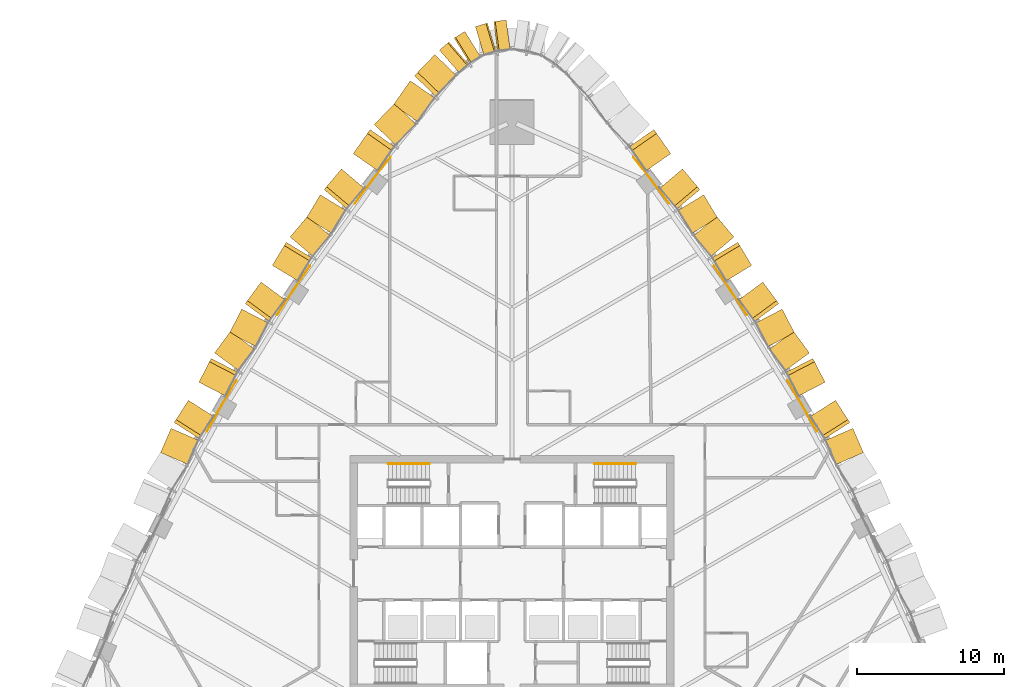
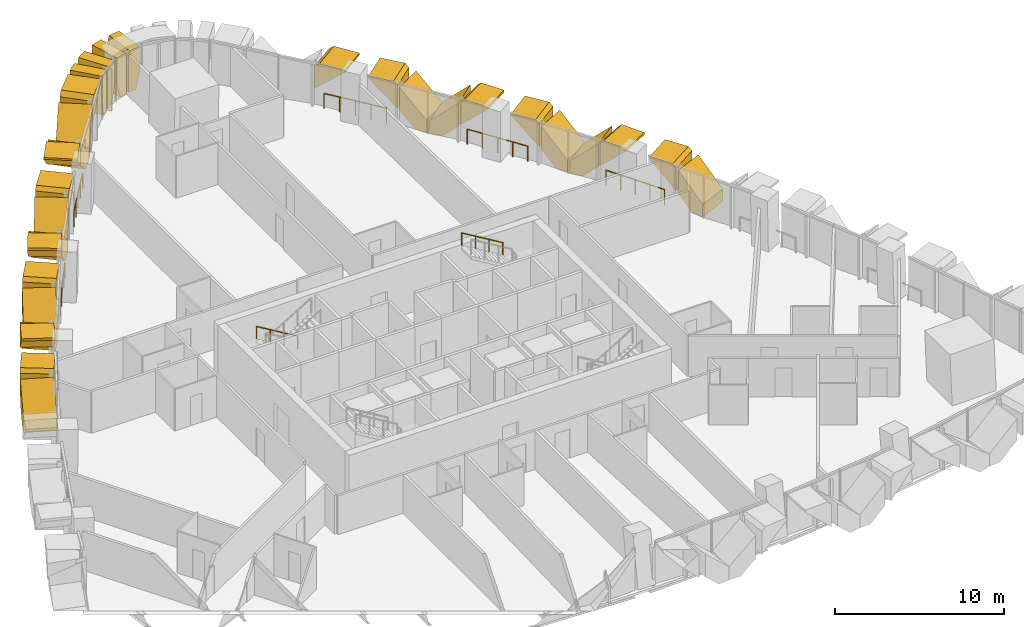
# One storey, part 21 of 23: 29 coverings, 8 railings.
"""IFC4 building model written with IfcOpenShell, lengths in metres."""

from ifc_helpers import new_model, si_unit, direction, frame, origin, origin_2d, place, context, subcontext, project, spatial, polyline, circle, outline, extrude, material, layer, layer_set, type_object, element, save


model = new_model("IFC4")

# Units and contexts
model_context = context("Model", 3, precision=1e-05, world=origin(), true_north=direction((0.0, 1.0)))
body_context = subcontext(model_context, "Body", "Model", "MODEL_VIEW")
ifc_project = project(units=[si_unit("LENGTHUNIT", "METRE"), si_unit("AREAUNIT", "SQUARE_METRE"), si_unit("VOLUMEUNIT", "CUBIC_METRE"), si_unit("PLANEANGLEUNIT", "RADIAN"), si_unit("MASSUNIT", "GRAM", prefix="KILO")], contexts=[model_context])

# Site, building, storey
site_placement = place(None, origin())
site = spatial("IfcSite", under=ifc_project, at=site_placement, CompositionType="ELEMENT")
building_placement = place(site_placement, origin())
building = spatial("IfcBuilding", under=site, at=building_placement, Name="Sierra Prisma Convention Tower", CompositionType="ELEMENT")
storey_placement = place(building_placement, frame((0.0, 0.0, 70.199951171875)))
storey = spatial("IfcBuildingStorey", under=building, at=storey_placement, Name="L13", CompositionType="ELEMENT", Elevation=70.199951171875)

# Coverings
ifc_material_1 = material(Name="Aluminium 6063-T6 bronze anodised", Category="aluminium")
ifc_layer = layer(ifc_material_1, 2.0)
ifc_layer_set = layer_set([ifc_layer], Name="Bronze crystal chevron frame")
covering_type = type_object("IfcCoveringType", Name="Bronze crystal chevron frame", PredefinedType="CLADDING", material=ifc_layer_set)
covering_1_placement = place(storey_placement, frame((23.540771484375, 8.94580078125, 0.0), z_axis=(0.916860765841, 0.399207133891, -1.7641202e-05), x_axis=(-0.287471184295, 0.660266983995, 0.69383559151)))
element("IfcCovering", 1, at=covering_1_placement, inside=storey, type_object=covering_type, Name="CW-2 chevron frame NE3.2.1", PredefinedType="CLADDING", context=body_context, shape_type="SweptSolid", body=[
    extrude(outline(polyline([(0.0, 0.0), (1.3751118780450438, 1.1102230246251565e-16), (2.5313916015919213, 1.200105191054749), (0.03878442501142809, 1.2000599043178775), (-0.5795016855871807, 0.5583394315153818), (0.0, 0.0)])), origin(), (0.0, 0.0, -1.0), 2.0),
])
covering_2_placement = place(storey_placement, frame((21.971923828125, 11.7587890625, 2.97998046875), z_axis=(0.843156943798, 0.537667525635, -1.660664e-06), x_axis=(0.537667525636, -0.843156943799, 3e-12)))
element("IfcCovering", 2, at=covering_2_placement, inside=storey, type_object=covering_type, Name="CW-2 chevron frame NE3.2.2", PredefinedType="CLADDING", context=body_context, shape_type="SweptSolid", body=[
    extrude(outline(polyline([(0.0, 0.0), (1.5520187552213036, 0.0), (1.794953521349108, 0.23413085938118242), (1.7949535213436685, 1.900390625003885), (-5.578935880979592e-13, 0.17089843749976436), (0.0, 0.0)])), origin(), (0.0, 0.0, -1.0), 2.0),
])
covering_3_placement = place(storey_placement, frame((21.260986328125, 12.984130859375, 2.97998046875), z_axis=(0.888273006133, 0.45931586623, -4.0060389e-05), x_axis=(-3.5584562e-05, -1.8400372e-05, -0.999999999198)))
element("IfcCovering", 3, at=covering_3_placement, inside=storey, type_object=covering_type, Name="CW-2 chevron frame NE4.1.1", PredefinedType="CLADDING", context=body_context, shape_type="SweptSolid", body=[
    extrude(outline(polyline([(0.0, 0.0), (0.1657714842419821, -5.616556359235058e-22), (1.8967285144870014, 1.816754445137787), (0.23925781269198462, 1.816754445137787), (-2.92600245792093e-09, 1.5655000669253487), (0.0, 0.0)])), origin(), (0.0, 0.0, -1.0), 2.0),
])
covering_4_placement = place(storey_placement, frame((20.192626953125, 14.974609375, 2.616943359375), z_axis=(0.80551924235, 0.592569615614, 2.9258739e-05), x_axis=(2.3568477e-05, 1.733784e-05, -0.999999999572)))
element("IfcCovering", 4, at=covering_4_placement, inside=storey, type_object=covering_type, Name="CW-2 chevron frame NE4.1.2", PredefinedType="CLADDING", context=body_context, shape_type="SweptSolid", body=[
    extrude(outline(polyline([(0.0, 0.0), (1.6574707024155415, 0.0), (2.616943361253618, 1.0070753380500512), (2.6169433590762314, 1.8169726235174384), (1.730957031330466, 1.8169726235174384), (0.0, 0.0)])), origin(), (0.0, 0.0, -1.0), 2.0),
])
covering_5_placement = place(storey_placement, frame((19.181640625, 16.33251953125, 0.0), z_axis=(0.888292722862, 0.459277734988, -2.5592689e-05), x_axis=(-0.459277735139, 0.888292723153, -2.057e-09)))
element("IfcCovering", 5, at=covering_5_placement, inside=storey, type_object=covering_type, Name="CW-2 chevron frame NE4.2.1", PredefinedType="CLADDING", context=body_context, shape_type="SweptSolid", body=[
    extrude(outline(polyline([(0.0, 0.0), (0.8099946102251216, 0.0), (1.816971309419688, 0.9594726603012124), (1.816971306010743, 2.6169433628834025), (-1.8222213208375096e-09, 0.8859863278348458), (0.0, 0.0)])), origin(), (0.0, 0.0, -1.0), 2.0),
])
covering_6_placement = place(storey_placement, frame((17.03662109375, 19.786865234375, 2.97998046875), z_axis=(0.805529734868, 0.592555352646, 1.7134343e-05), x_axis=(0.592555352733, -0.805529734986, 3.42e-10)))
element("IfcCovering", 6, at=covering_6_placement, inside=storey, type_object=covering_type, Name="CW-2 chevron frame NE4.2.2", PredefinedType="CLADDING", context=body_context, shape_type="SweptSolid", body=[
    extrude(outline(polyline([(0.0, 0.0), (1.5656926150697792, 0.0), (1.8169726236478851, 0.23925781315630654), (1.8169726230812302, 1.8967285160380014), (-5.667383163352902e-11, 0.1657714843506659), (0.0, 0.0)])), origin(), (0.0, 0.0, -1.0), 2.0),
])
covering_7_placement = place(storey_placement, frame((16.27734375, 20.918212890625, 2.97998046875), z_axis=(0.855814443653, 0.517282936603, 3.9183039e-05), x_axis=(3.3533411e-05, 2.0268717e-05, -0.999999999232)))
element("IfcCovering", 7, at=covering_7_placement, inside=storey, type_object=covering_type, Name="CW-2 chevron frame NE5.1.1", PredefinedType="CLADDING", context=body_context, shape_type="SweptSolid", body=[
    extrude(outline(polyline([(0.0, 0.0), (0.16259765612518104, 0.0), (1.8942871082930484, 1.8303048594666227), (0.2424316408111039, 1.8303048594666227), (-2.7857489988227023e-09, 1.5738932822632106), (0.0, 0.0)])), origin(), (0.0, 0.0, -1.0), 2.0),
])
covering_8_placement = place(storey_placement, frame((15.072021484375, 22.844970703125, 2.614501953125), z_axis=(0.764402970788, 0.644738782166, -3.1955414e-05), x_axis=(-2.4426814e-05, -2.0602895e-05, -0.999999999489)))
element("IfcCovering", 8, at=covering_8_placement, inside=storey, type_object=covering_type, Name="CW-2 chevron frame NE5.1.2", PredefinedType="CLADDING", context=body_context, shape_type="SweptSolid", body=[
    extrude(outline(polyline([(0.0, 0.0), (1.651855467906605, 0.0), (2.61450195536138, 1.0173429130293723), (2.6145019527731077, 1.8304347417983673), (1.731689453223849, 1.8304347417983673), (0.0, 0.0)])), origin(), (0.0, 0.0, -1.0), 2.0),
])
covering_9_placement = place(storey_placement, frame((13.964111328125, 24.14306640625, 0.0), z_axis=(0.855828936097, 0.517258958602, 4.3402433e-05), x_axis=(-0.517258959089, 0.855828936904, -5.873e-09)))
element("IfcCovering", 9, at=covering_9_placement, inside=storey, type_object=covering_type, Name="CW-2 chevron frame NE5.2.1", PredefinedType="CLADDING", context=body_context, shape_type="SweptSolid", body=[
    extrude(outline(polyline([(0.0, 0.0), (0.8129473627264518, -3.3881317890172014e-21), (1.830304853360422, 0.9626464960317466), (1.8303048436584763, 2.6145019632258877), (-5.18507771855864e-09, 0.8828124991684917), (0.0, 0.0)])), origin(), (0.0, 0.0, -1.0), 2.0),
])
covering_10_placement = place(storey_placement, frame((11.57861328125, 27.468994140625, 2.97998046875), z_axis=(0.764389640556, 0.644754586302, -2.9216159e-05), x_axis=(0.644754586577, -0.764389640882, 9.84e-10)))
element("IfcCovering", 10, at=covering_10_placement, inside=storey, type_object=covering_type, Name="CW-2 chevron frame NE5.2.2", PredefinedType="CLADDING", context=body_context, shape_type="SweptSolid", body=[
    extrude(outline(polyline([(0.0, 0.0), (1.5740129313153708, 3.3881317890172014e-21), (1.8304347418046039, 0.24243164252956848), (1.8304347401792207, 1.8942871105745702), (-1.599918984023667e-10, 0.16259765618060465), (0.0, 0.0)])), origin(), (0.0, 0.0, -1.0), 2.0),
])
covering_11_placement = place(storey_placement, frame((10.779296875, 28.5068359375, 2.97998046875), z_axis=(0.819474614002, 0.5731154765, -8.7187935e-05), x_axis=(-7.14483e-05, -4.9968755e-05, -0.999999996199)))
element("IfcCovering", 11, at=covering_11_placement, inside=storey, type_object=covering_type, Name="CW-2 chevron frame NE6.1.1", PredefinedType="CLADDING", context=body_context, shape_type="SweptSolid", body=[
    extrude(outline(polyline([(0.0, 0.0), (0.12890624951004437, 0.0), (1.8696289012465137, 1.994017863295504), (0.2766113291763632, 1.994017863295504), (-1.3089610412895668e-08, 1.6769055526929626), (0.0, 0.0)])), origin(), (0.0, 0.0, -1.0), 2.0),
])
covering_12_placement = place(storey_placement, frame((-0.394287109375, 37.58154296875, 2.97998046875), z_axis=(-0.133475891048, 0.991052060425, 6.047414e-06), x_axis=(-8.07184e-07, 5.993302e-06, -0.999999999982)))
element("IfcCovering", 12, at=covering_12_placement, inside=storey, type_object=covering_type, Name="CW-2 chevron frame N3.1.1", PredefinedType="CLADDING", context=body_context, shape_type="SweptSolid", body=[
    extrude(outline(polyline([(0.0, 0.0), (1.861083984340969, 1.9704993154661656e-22), (2.979980469204484, 0.29510986007563966), (2.979980468773824, 0.8506272104609597), (0.37988281257136836, 0.8506272104609597), (3.487588341474264e-10, 0.7503588113867239), (0.0, 0.0)])), origin(), (0.0, 0.0, -1.0), 2.0),
])
covering_13_placement = place(storey_placement, frame((-2.203125, 37.215576171875, 0.0), z_axis=(-0.286754954189, 0.958003963742, 4.1275344e-05), x_axis=(-0.244146104195, -0.073120801078, 0.966977780642)))
element("IfcCovering", 13, at=covering_13_placement, inside=storey, type_object=covering_type, Name="CW-2 chevron frame N3.1.2", PredefinedType="CLADDING", context=body_context, shape_type="SweptSolid", body=[
    extrude(outline(polyline([(0.0, 0.0), (1.157106720998983, 0.0), (2.9567335817988885, 0.47431714378016), (2.7655261705438092, 1.199785328173854), (2.3726562730449263, 1.199838871885646), (-0.14158038804899944, 0.5371761956087598), (0.0, 0.0)])), origin(), (0.0, 0.0, -1.0), 2.0),
])
covering_14_placement = place(storey_placement, frame((-3.204345703125, 36.80615234375, 2.97998046875), z_axis=(-0.529475725128, 0.848325088924, -1.35635e-06), x_axis=(7.18155e-07, -1.150626e-06, -0.999999999999)))
element("IfcCovering", 14, at=covering_14_placement, inside=storey, type_object=covering_type, Name="CW-2 chevron frame N4.1.1", PredefinedType="CLADDING", context=body_context, shape_type="SweptSolid", body=[
    extrude(outline(polyline([(0.0, 0.0), (1.861083984373288, 0.0), (2.9799804688185993, 0.2950189648999974), (2.979980468757043, 0.8507157411436652), (0.3798828125094343, 0.8507157411436652), (6.64113814498304e-11, 0.7505904083070458), (0.0, 0.0)])), origin(), (0.0, 0.0, -1.0), 2.0),
])
covering_15_placement = place(storey_placement, frame((-4.282470703125, 36.092041015625, 0.0), z_axis=(-0.655698311383, 0.755022995933, -7.836621e-06), x_axis=(-0.755022995957, -0.655698311403, -1.6e-11)))
element("IfcCovering", 15, at=covering_15_placement, inside=storey, type_object=covering_type, Name="CW-2 chevron frame N4.1.2", PredefinedType="CLADDING", context=body_context, shape_type="SweptSolid", body=[
    extrude(outline(polyline([(0.0, 0.0), (0.5555252411295619, -8.470329472543003e-22), (0.850421245736691, 1.1188964843810023), (0.8504212457071364, 2.9799804686988556), (0.10020507185549636, 2.9799804689763274), (-4.129026665562526e-11, 2.6000976561701608), (0.0, 0.0)])), origin(), (0.0, 0.0, -1.0), 2.0),
])
covering_16_placement = place(storey_placement, frame((-5.240478515625, 35.234619140625, 2.97998046875), z_axis=(-0.719728945098, 0.694255173235, 5.063246e-06), x_axis=(-3.644165e-06, 3.515185e-06, -0.999999999987)))
element("IfcCovering", 16, at=covering_16_placement, inside=storey, type_object=covering_type, Name="CW-2 chevron frame NW1.1.1", PredefinedType="CLADDING", context=body_context, shape_type="SweptSolid", body=[
    extrude(outline(polyline([(0.0, 0.0), (0.12890624999834766, 0.0), (1.8696289062331262, 1.99354970398204), (0.27661132812854566, 1.99354970398204), (-4.4144031294522125e-11, 1.676716025802791), (0.0, 0.0)])), origin(), (0.0, 0.0, -1.0), 2.0),
])
covering_17_placement = place(storey_placement, frame((-6.90625, 33.457275390625, 2.58984375), z_axis=(-0.81950208881, 0.573076196012, -6.25515e-07), x_axis=(5.12611e-07, -3.58468e-07, -1.0)))
element("IfcCovering", 17, at=covering_17_placement, inside=storey, type_object=covering_type, Name="CW-2 chevron frame NW1.1.2", PredefinedType="CLADDING", context=body_context, shape_type="SweptSolid", body=[
    extrude(outline(polyline([(0.0, 0.0), (1.5930175781246885, 0.0), (2.589843750000839, 1.141304597497153), (2.589843749999883, 1.9933378899828482), (1.7407226562500495, 1.9933378899828482), (0.0, 0.0)])), origin(), (0.0, 0.0, -1.0), 2.0),
])
covering_18_placement = place(storey_placement, frame((-7.9697265625, 31.91943359375, 0.0), z_axis=(-0.719782577428, 0.694199568435, 2.0380806e-05), x_axis=(-0.694199568579, -0.719782577578, -1.191e-09)))
element("IfcCovering", 18, at=covering_18_placement, inside=storey, type_object=covering_type, Name="CW-2 chevron frame NW1.2.1", PredefinedType="CLADDING", context=body_context, shape_type="SweptSolid", body=[
    extrude(outline(polyline([(0.0, 0.0), (0.8520848119000684, 0.0), (1.993380214421497, 0.996826174455153), (1.9933802125250062, 2.5898437522493016), (-1.0108805132350636e-09, 0.8491210935736473), (0.0, 0.0)])), origin(), (0.0, 0.0, -1.0), 2.0),
])
covering_19_placement = place(storey_placement, frame((-10.77783203125, 28.508544921875, 2.97998046875), z_axis=(-0.819542962606, 0.57301774179, -5.996447e-06), x_axis=(0.573017741801, 0.819542962621, 3.7e-11)))
element("IfcCovering", 19, at=covering_19_placement, inside=storey, type_object=covering_type, Name="CW-2 chevron frame NW1.2.2", PredefinedType="CLADDING", context=body_context, shape_type="SweptSolid", body=[
    extrude(outline(polyline([(0.0, 0.0), (1.6765655780314486, -8.470329472543003e-22), (1.9935379686775998, 0.2766113282035948), (1.9935379686187695, 1.8696289062999543), (-4.760530456266651e-12, 0.12890624999768244), (0.0, 0.0)])), origin(), (0.0, 0.0, -1.0), 2.0),
])
covering_20_placement = place(storey_placement, frame((-11.57861328125, 27.468994140625, 2.97998046875), z_axis=(-0.764352938542, 0.644798094595, -5.0490733e-05), x_axis=(3.8592741e-05, -3.2556329e-05, -0.999999998725)))
element("IfcCovering", 20, at=covering_20_placement, inside=storey, type_object=covering_type, Name="CW-2 chevron frame NW2.1.1", PredefinedType="CLADDING", context=body_context, shape_type="SweptSolid", body=[
    extrude(outline(polyline([(0.0, 0.0), (0.16284179666743256, 5.517294685728695e-22), (1.8945312482025345, 1.82956006704152), (0.24218750030870603, 1.82956006704152), (-4.627478239068133e-09, 1.573482291164164), (0.0, 0.0)])), origin(), (0.0, 0.0, -1.0), 2.0),
])
covering_21_placement = place(storey_placement, frame((-13.016845703125, 25.710205078125, 2.61474609375), z_axis=(-0.85582677758, 0.517262531749, -5.080216e-06), x_axis=(4.347784e-06, -2.627805e-06, -0.999999999987)))
element("IfcCovering", 21, at=covering_21_placement, inside=storey, type_object=covering_type, Name="CW-2 chevron frame NW2.1.2", PredefinedType="CLADDING", context=body_context, shape_type="SweptSolid", body=[
    extrude(outline(polyline([(0.0, 0.0), (1.6523437499786777, 0.0), (2.614746093806532, 1.0166870431484054), (2.614746093741097, 1.8294254633241596), (1.7316894531274922, 1.8294254633241596), (0.0, 0.0)])), origin(), (0.0, 0.0, -1.0), 2.0),
])
covering_22_placement = place(storey_placement, frame((-14.414794921875, 23.6240234375, 0.0), z_axis=(-0.764376461589, 0.644770208493, -5.664844e-05), x_axis=(-0.468307819016, -0.555119526794, 0.687408246693)))
element("IfcCovering", 22, at=covering_22_placement, inside=storey, type_object=covering_type, Name="CW-2 chevron frame NW2.2.1", PredefinedType="CLADDING", context=body_context, shape_type="SweptSolid", body=[
    extrude(outline(polyline([(0.0, 0.0), (1.4000448154597267, 0.0), (2.5358795355806794, 1.2000497272906467), (0.01674508129617802, 1.2000281757640434), (-0.5902753357660981, 0.5586895434339207), (0.0, 0.0)])), origin(), (0.0, 0.0, -1.0), 2.0),
])
covering_23_placement = place(storey_placement, frame((-16.275390625, 20.9208984375, 2.97998046875), z_axis=(-0.855774139875, 0.51734960719, -7.3900594e-05), x_axis=(0.517349608602, 0.855774142212, 6.3e-09)))
element("IfcCovering", 23, at=covering_23_placement, inside=storey, type_object=covering_type, Name="CW-2 chevron frame NW2.2.2", PredefinedType="CLADDING", context=body_context, shape_type="SweptSolid", body=[
    extrude(outline(polyline([(0.0, 0.0), (1.5735580477350168, 0.0), (1.8295517578878233, 0.24218751218733428), (1.829551747478212, 1.8945312576753637), (-1.0258881120794284e-09, 0.16284179643033625), (0.0, 0.0)])), origin(), (0.0, 0.0, -1.0), 2.0),
])
covering_24_placement = place(storey_placement, frame((-17.03662109375, 19.786865234375, 2.97998046875), z_axis=(-0.80551424781, 0.592576405579, -1.125422e-05), x_axis=(9.065434e-06, -6.668985e-06, -0.999999999937)))
element("IfcCovering", 24, at=covering_24_placement, inside=storey, type_object=covering_type, Name="CW-2 chevron frame NW3.1.1", PredefinedType="CLADDING", context=body_context, shape_type="SweptSolid", body=[
    extrude(outline(polyline([(0.0, 0.0), (0.16601562498948644, 0.0), (1.8967285155351556, 1.8160933030124498), (0.23901367189013645, 1.8160933030124498), (-2.3098907393590158e-10, 1.56515462424069), (0.0, 0.0)])), origin(), (0.0, 0.0, -1.0), 2.0),
])
covering_25_placement = place(storey_placement, frame((-18.3466796875, 17.947265625, 2.616943359375), z_axis=(-0.88832235033, 0.459220428421, -4.948404e-06), x_axis=(4.395778e-06, -2.272408e-06, -0.999999999988)))
element("IfcCovering", 25, at=covering_25_placement, inside=storey, type_object=covering_type, Name="CW-2 chevron frame NW3.1.2", PredefinedType="CLADDING", context=body_context, shape_type="SweptSolid", body=[
    extrude(outline(polyline([(0.0, 0.0), (1.657714843729704, 0.0), (2.6169433594287352, 1.0064308393459422), (2.616943359366448, 1.8160964537499578), (1.7309570312522957, 1.8160964537499578), (0.0, 0.0)])), origin(), (0.0, 0.0, -1.0), 2.0),
])
covering_26_placement = place(storey_placement, frame((-19.115234375, 16.439453125, 0.0), z_axis=(-0.805513355457, 0.59257761867, 5.655438e-06), x_axis=(-0.592577618679, -0.80551335547, -1e-10)))
element("IfcCovering", 26, at=covering_26_placement, inside=storey, type_object=covering_type, Name="CW-2 chevron frame NW3.2.1", PredefinedType="CLADDING", context=body_context, shape_type="SweptSolid", body=[
    extrude(outline(polyline([(0.0, 0.0), (0.8095559553625282, 4.235164736271502e-22), (1.8160933029099404, 0.9592285158228514), (1.8160933027433457, 2.6169433595463416), (-8.903867575010276e-11, 0.8859863281108314), (0.0, 0.0)])), origin(), (0.0, 0.0, -1.0), 2.0),
])
covering_27_placement = place(storey_placement, frame((-21.25927734375, 12.986572265625, 2.97998046875), z_axis=(-0.888323714757, 0.459217789063, -2.716529e-06), x_axis=(0.459217789065, 0.888323714761, 9e-12)))
element("IfcCovering", 27, at=covering_27_placement, inside=storey, type_object=covering_type, Name="CW-2 chevron frame NW3.2.2", PredefinedType="CLADDING", context=body_context, shape_type="SweptSolid", body=[
    extrude(outline(polyline([(0.0, 0.0), (1.565171075822646, 2.117582368135751e-22), (1.8160964537539894, 0.23901367189149778), (1.8160964537397355, 1.8967285156353813), (-1.4275009060947853e-12, 0.16601562499938746), (0.0, 0.0)])), origin(), (0.0, 0.0, -1.0), 2.0),
])
covering_28_placement = place(storey_placement, frame((-21.971923828125, 11.7587890625, 2.97998046875), z_axis=(-0.843144203456, 0.537687500976, 5.8923289e-05), x_axis=(-4.968083e-05, 3.1682316e-05, -0.999999998264)))
element("IfcCovering", 28, at=covering_28_placement, inside=storey, type_object=covering_type, Name="CW-2 chevron frame NW4.1.1", PredefinedType="CLADDING", context=body_context, shape_type="SweptSolid", body=[
    extrude(outline(polyline([(0.0, 0.0), (0.17114257782790043, 0.0), (1.900634763137586, 1.7944105579678), (0.233886719156022, 1.7944105579678), (-6.381071713050231e-09, 1.5516816377420644), (0.0, 0.0)])), origin(), (0.0, 0.0, -1.0), 2.0),
])
covering_29_placement = place(storey_placement, frame((-23.14501953125, 9.854248046875, 2.62060546875), z_axis=(-0.9168566862, 0.399216502346, 3.4985799e-05), x_axis=(-3.2076964e-05, 1.3966908e-05, -0.999999999388)))
element("IfcCovering", 29, at=covering_29_placement, inside=storey, type_object=covering_type, Name="CW-2 chevron frame NW4.1.2", PredefinedType="CLADDING", context=body_context, shape_type="SweptSolid", body=[
    extrude(outline(polyline([(0.0, 0.0), (1.6665039052300945, 0.0), (2.620605471444547, 0.989816362887399), (2.620605468314008, 1.7942093686523455), (1.7294921876093718, 1.7942093686523455), (0.0, 0.0)])), origin(), (0.0, 0.0, -1.0), 2.0),
])

# Railings
ifc_material_2 = material(Name="Stainless steel", Category="steel")
railing_type_1 = type_object("IfcRailingType", Name="Exit stair handrail", PredefinedType="HANDRAIL", material=ifc_material_2)
railing_1_placement = place(storey_placement, frame((-5.60009765625, 7.449951171875, 0.168212890625)))
element("IfcRailing", 30, at=railing_1_placement, inside=storey, type_object=railing_type_1, Name="L13 S3 stair handrail 1", PredefinedType="HANDRAIL", context=body_context, shape_type="SweptSolid", body=[
    extrude(circle(Radius=0.02392578125, at=origin_2d()), frame((0.0, 0.0, 0.8759765625), z_axis=(-0.857222391501, 0.0, 0.514946377315), x_axis=(0.0, -1.0, 0.0)), (0.0, 0.0, 1.0), 3.26611328125),
    extrude(circle(Radius=0.02099609375, at=origin_2d()), origin(), (0.0, 0.0, 1.0), 0.851806640625),
    extrude(circle(Radius=0.02099609375, at=origin_2d()), frame((-0.933349609375, 0.0, 0.560546875)), (0.0, 0.0, 1.0), 0.851806640625),
    extrude(circle(Radius=0.02099609375, at=origin_2d()), frame((-1.866455078125, 0.0, 1.121337890625)), (0.0, 0.0, 1.0), 0.851806640625),
    extrude(circle(Radius=0.02099609375, at=origin_2d()), frame((-2.7998046875, 0.0, 1.681884765625)), (0.0, 0.0, 1.0), 0.851806640625),
])
railing_2_placement = place(storey_placement, frame((8.39990234375, 7.449951171875, 2.018310546875)))
element("IfcRailing", 31, at=railing_2_placement, inside=storey, type_object=railing_type_1, Name="L13 S4 stair handrail 2", PredefinedType="HANDRAIL", context=body_context, shape_type="SweptSolid", body=[
    extrude(circle(Radius=0.02392578125, at=origin_2d()), frame((0.0, 0.0, 0.8759765625), z_axis=(-0.857255387014, 0.0, 0.514891446264), x_axis=(0.0, -1.0, 0.0)), (0.0, 0.0, 1.0), 3.26611328125),
    extrude(circle(Radius=0.02099609375, at=origin_2d()), origin(), (0.0, 0.0, 1.0), 0.851806640625),
    extrude(circle(Radius=0.02099609375, at=origin_2d()), frame((-0.933349609375, 0.0, 0.560546875)), (0.0, 0.0, 1.0), 0.851806640625),
    extrude(circle(Radius=0.02099609375, at=origin_2d()), frame((-1.866455078125, 0.0, 1.12109375)), (0.0, 0.0, 1.0), 0.851806640625),
    extrude(circle(Radius=0.02099609375, at=origin_2d()), frame((-2.7998046875, 0.0, 1.681640625)), (0.0, 0.0, 1.0), 0.851806640625),
])
ifc_material_3 = material(Name="Bronze anodised aluminium", Category="aluminium")
railing_type_2 = type_object("IfcRailingType", Name="Facade guard 1100", PredefinedType="GUARDRAIL", material=ifc_material_3)
railing_3_placement = place(storey_placement, frame((20.711181640625, 9.656494140625, 0.0)))
element("IfcRailing", 32, at=railing_3_placement, inside=storey, type_object=railing_type_2, Name="Facade guard", PredefinedType="GUARDRAIL", context=body_context, shape_type="SweptSolid", body=[
    extrude(circle(Radius=0.02392578125, at=origin_2d()), frame((0.0, 0.0, 1.076171875), z_axis=(-0.492716839721, 0.870189701074, 0.0), x_axis=(-0.870189701074, -0.492716839721, 0.0)), (0.0, 0.0, 1.0), 1.0),
    extrude(circle(Radius=0.02392578125, at=origin_2d()), frame((-0.49267578125, 0.8701171875, 1.076171875), z_axis=(-0.494975089967, 0.868907164381, 0.0), x_axis=(-0.868907164381, -0.494975089967, 0.0)), (0.0, 0.0, 1.0), 0.994384765625),
    extrude(circle(Radius=0.02392578125, at=origin_2d()), frame((-0.98486328125, 1.734130859375, 1.076171875), z_axis=(-0.505024000493, 0.863105300022, 0.0), x_axis=(-0.863105300022, -0.505024000493, 0.0)), (0.0, 0.0, 1.0), 1.000244140625),
    extrude(circle(Radius=0.02392578125, at=origin_2d()), frame((-1.489990234375, 2.597412109375, 1.076171875), z_axis=(-0.507363516306, 0.861732129099, 0.0), x_axis=(-0.861732129099, -0.507363516306, 0.0)), (0.0, 0.0, 1.0), 0.994140625),
    extrude(circle(Radius=0.02099609375, at=origin_2d()), origin(), (0.0, 0.0, 1.0), 1.052001953125),
    extrude(circle(Radius=0.02099609375, at=origin_2d()), frame((-0.49267578125, 0.8701171875, 0.0)), (0.0, 0.0, 1.0), 1.052001953125),
    extrude(circle(Radius=0.02099609375, at=origin_2d()), frame((-0.98486328125, 1.734130859375, 0.0)), (0.0, 0.0, 1.0), 1.052001953125),
    extrude(circle(Radius=0.02099609375, at=origin_2d()), frame((-1.489990234375, 2.597412109375, 0.0)), (0.0, 0.0, 1.0), 1.052001953125),
    extrude(circle(Radius=0.02099609375, at=origin_2d()), frame((-1.994384765625, 3.4541015625, 0.0)), (0.0, 0.0, 1.0), 1.052001953125),
])
railing_4_placement = place(storey_placement, frame((15.947509765625, 17.5576171875, 0.0)))
element("IfcRailing", 33, at=railing_4_placement, inside=storey, type_object=railing_type_2, Name="Facade guard", PredefinedType="GUARDRAIL", context=body_context, shape_type="SweptSolid", body=[
    extrude(circle(Radius=0.02392578125, at=origin_2d()), frame((0.0, 0.0, 1.076171875), z_axis=(-0.546911865467, 0.837190188315, 0.0), x_axis=(-0.837190188315, -0.546911865467, 0.0)), (0.0, 0.0, 1.0), 0.994140625),
    extrude(circle(Radius=0.02392578125, at=origin_2d()), frame((-0.543701171875, 0.832275390625, 1.076171875), z_axis=(-0.553573165303, 0.832800546744, 0.0), x_axis=(-0.832800546744, -0.553573165303, 0.0)), (0.0, 0.0, 1.0), 1.000244140625),
    extrude(circle(Radius=0.02392578125, at=origin_2d()), frame((-1.097412109375, 1.665283203125, 1.076171875), z_axis=(-0.558603826886, 0.829434605372, 0.0), x_axis=(-0.829434605372, -0.558603826886, 0.0)), (0.0, 0.0, 1.0), 0.994384765625),
    extrude(circle(Radius=0.02392578125, at=origin_2d()), frame((-1.65283203125, 2.489990234375, 1.076171875), z_axis=(-0.565471415487, 0.824767893572, 0.0), x_axis=(-0.824767893572, -0.565471415487, 0.0)), (0.0, 0.0, 1.0), 1.0),
    extrude(circle(Radius=0.02099609375, at=origin_2d()), origin(), (0.0, 0.0, 1.0), 1.052001953125),
    extrude(circle(Radius=0.02099609375, at=origin_2d()), frame((-0.543701171875, 0.832275390625, 0.0)), (0.0, 0.0, 1.0), 1.052001953125),
    extrude(circle(Radius=0.02099609375, at=origin_2d()), frame((-1.097412109375, 1.665283203125, 0.0)), (0.0, 0.0, 1.0), 1.052001953125),
    extrude(circle(Radius=0.02099609375, at=origin_2d()), frame((-1.65283203125, 2.489990234375, 0.0)), (0.0, 0.0, 1.0), 1.052001953125),
    extrude(circle(Radius=0.02099609375, at=origin_2d()), frame((-2.21826171875, 3.314697265625, 0.0)), (0.0, 0.0, 1.0), 1.052001953125),
])
railing_5_placement = place(storey_placement, frame((10.6708984375, 25.130126953125, 0.0)))
element("IfcRailing", 34, at=railing_5_placement, inside=storey, type_object=railing_type_2, Name="Facade guard", PredefinedType="GUARDRAIL", context=body_context, shape_type="SweptSolid", body=[
    extrude(circle(Radius=0.02392578125, at=origin_2d()), frame((0.0, 0.0, 1.076171875), z_axis=(-0.600156253811, 0.799882785795, 0.0), x_axis=(-0.799882785795, -0.600156253811, 0.0)), (0.0, 0.0, 1.0), 1.0),
    extrude(circle(Radius=0.02392578125, at=origin_2d()), frame((-0.60009765625, 0.7998046875, 1.076171875), z_axis=(-0.608178937777, 0.793799961983, 0.0), x_axis=(-0.793799961983, -0.608178937777, 0.0)), (0.0, 0.0, 1.0), 0.994384765625),
    extrude(circle(Radius=0.02392578125, at=origin_2d()), frame((-1.204833984375, 1.589111328125, 1.076171875), z_axis=(-0.611384957979, 0.791333326202, 0.0), x_axis=(-0.791333326202, -0.611384957979, 0.0)), (0.0, 0.0, 1.0), 1.0),
    extrude(circle(Radius=0.02392578125, at=origin_2d()), frame((-1.816162109375, 2.38037109375, 1.076171875), z_axis=(-0.619500975927, 0.784995885865, 0.0), x_axis=(-0.784995885865, -0.619500975927, 0.0)), (0.0, 0.0, 1.0), 0.994384765625),
    extrude(circle(Radius=0.02099609375, at=origin_2d()), origin(), (0.0, 0.0, 1.0), 1.052001953125),
    extrude(circle(Radius=0.02099609375, at=origin_2d()), frame((-0.60009765625, 0.7998046875, 0.0)), (0.0, 0.0, 1.0), 1.052001953125),
    extrude(circle(Radius=0.02099609375, at=origin_2d()), frame((-1.204833984375, 1.589111328125, 0.0)), (0.0, 0.0, 1.0), 1.052001953125),
    extrude(circle(Radius=0.02099609375, at=origin_2d()), frame((-1.816162109375, 2.38037109375, 0.0)), (0.0, 0.0, 1.0), 1.052001953125),
    extrude(circle(Radius=0.02099609375, at=origin_2d()), frame((-2.43212890625, 3.160888671875, 0.0)), (0.0, 0.0, 1.0), 1.052001953125),
])
railing_6_placement = place(storey_placement, frame((-8.23876953125, 28.291015625, 0.0)))
element("IfcRailing", 35, at=railing_6_placement, inside=storey, type_object=railing_type_2, Name="Facade guard", PredefinedType="GUARDRAIL", context=body_context, shape_type="SweptSolid", body=[
    extrude(circle(Radius=0.02392578125, at=origin_2d()), frame((0.0, 0.0, 1.076171875), z_axis=(-0.619500975927, -0.784995885865, 0.0), x_axis=(0.784995885865, -0.619500975927, 0.0)), (0.0, 0.0, 1.0), 0.994384765625),
    extrude(circle(Radius=0.02392578125, at=origin_2d()), frame((-0.615966796875, -0.780517578125, 1.076171875), z_axis=(-0.611384957979, -0.791333326202, 0.0), x_axis=(0.791333326202, -0.611384957979, 0.0)), (0.0, 0.0, 1.0), 1.0),
    extrude(circle(Radius=0.02392578125, at=origin_2d()), frame((-1.227294921875, -1.57177734375, 1.076171875), z_axis=(-0.608178937777, -0.793799961983, 0.0), x_axis=(0.793799961983, -0.608178937777, 0.0)), (0.0, 0.0, 1.0), 0.994384765625),
    extrude(circle(Radius=0.02392578125, at=origin_2d()), frame((-1.83203125, -2.361083984375, 1.076171875), z_axis=(-0.600156253811, -0.799882785795, 0.0), x_axis=(0.799882785795, -0.600156253811, 0.0)), (0.0, 0.0, 1.0), 1.0),
    extrude(circle(Radius=0.02099609375, at=origin_2d()), origin(), (0.0, 0.0, 1.0), 1.052001953125),
    extrude(circle(Radius=0.02099609375, at=origin_2d()), frame((-0.615966796875, -0.780517578125, 0.0)), (0.0, 0.0, 1.0), 1.052001953125),
    extrude(circle(Radius=0.02099609375, at=origin_2d()), frame((-1.227294921875, -1.57177734375, 0.0)), (0.0, 0.0, 1.0), 1.052001953125),
    extrude(circle(Radius=0.02099609375, at=origin_2d()), frame((-1.83203125, -2.361083984375, 0.0)), (0.0, 0.0, 1.0), 1.052001953125),
    extrude(circle(Radius=0.02099609375, at=origin_2d()), frame((-2.43212890625, -3.160888671875, 0.0)), (0.0, 0.0, 1.0), 1.052001953125),
])
railing_7_placement = place(storey_placement, frame((-13.729248046875, 20.872314453125, 0.0)))
element("IfcRailing", 36, at=railing_7_placement, inside=storey, type_object=railing_type_2, Name="Facade guard", PredefinedType="GUARDRAIL", context=body_context, shape_type="SweptSolid", body=[
    extrude(circle(Radius=0.02392578125, at=origin_2d()), frame((0.0, 0.0, 1.076171875), z_axis=(-0.565471415487, -0.824767893572, 0.0), x_axis=(0.824767893572, -0.565471415487, 0.0)), (0.0, 0.0, 1.0), 1.0),
    extrude(circle(Radius=0.02392578125, at=origin_2d()), frame((-0.5654296875, -0.82470703125, 1.076171875), z_axis=(-0.558603826886, -0.829434605372, 0.0), x_axis=(0.829434605372, -0.558603826886, 0.0)), (0.0, 0.0, 1.0), 0.994384765625),
    extrude(circle(Radius=0.02392578125, at=origin_2d()), frame((-1.120849609375, -1.6494140625, 1.076171875), z_axis=(-0.553573165303, -0.832800546744, 0.0), x_axis=(0.832800546744, -0.553573165303, 0.0)), (0.0, 0.0, 1.0), 1.000244140625),
    extrude(circle(Radius=0.02392578125, at=origin_2d()), frame((-1.674560546875, -2.482421875, 1.076171875), z_axis=(-0.546911865467, -0.837190188315, 0.0), x_axis=(0.837190188315, -0.546911865467, 0.0)), (0.0, 0.0, 1.0), 0.994140625),
    extrude(circle(Radius=0.02099609375, at=origin_2d()), origin(), (0.0, 0.0, 1.0), 1.052001953125),
    extrude(circle(Radius=0.02099609375, at=origin_2d()), frame((-0.5654296875, -0.82470703125, 0.0)), (0.0, 0.0, 1.0), 1.052001953125),
    extrude(circle(Radius=0.02099609375, at=origin_2d()), frame((-1.120849609375, -1.6494140625, 0.0)), (0.0, 0.0, 1.0), 1.052001953125),
    extrude(circle(Radius=0.02099609375, at=origin_2d()), frame((-1.674560546875, -2.482421875, 0.0)), (0.0, 0.0, 1.0), 1.052001953125),
    extrude(circle(Radius=0.02099609375, at=origin_2d()), frame((-2.21826171875, -3.314697265625, 0.0)), (0.0, 0.0, 1.0), 1.052001953125),
])
railing_8_placement = place(storey_placement, frame((-18.716796875, 13.110595703125, 0.0)))
element("IfcRailing", 37, at=railing_8_placement, inside=storey, type_object=railing_type_2, Name="Facade guard", PredefinedType="GUARDRAIL", context=body_context, shape_type="SweptSolid", body=[
    extrude(circle(Radius=0.02392578125, at=origin_2d()), frame((0.0, 0.0, 1.076171875), z_axis=(-0.507363516306, -0.861732129099, 0.0), x_axis=(0.861732129099, -0.507363516306, 0.0)), (0.0, 0.0, 1.0), 0.994140625),
    extrude(circle(Radius=0.02392578125, at=origin_2d()), frame((-0.50439453125, -0.856689453125, 1.076171875), z_axis=(-0.505024000493, -0.863105300022, 0.0), x_axis=(0.863105300022, -0.505024000493, 0.0)), (0.0, 0.0, 1.0), 1.000244140625),
    extrude(circle(Radius=0.02392578125, at=origin_2d()), frame((-1.009521484375, -1.719970703125, 1.076171875), z_axis=(-0.494975089967, -0.868907164381, 0.0), x_axis=(0.868907164381, -0.494975089967, 0.0)), (0.0, 0.0, 1.0), 0.994384765625),
    extrude(circle(Radius=0.02392578125, at=origin_2d()), frame((-1.501708984375, -2.583984375, 1.076171875), z_axis=(-0.492716839721, -0.870189701074, 0.0), x_axis=(0.870189701074, -0.492716839721, 0.0)), (0.0, 0.0, 1.0), 1.0),
    extrude(circle(Radius=0.02099609375, at=origin_2d()), origin(), (0.0, 0.0, 1.0), 1.052001953125),
    extrude(circle(Radius=0.02099609375, at=origin_2d()), frame((-0.50439453125, -0.856689453125, 0.0)), (0.0, 0.0, 1.0), 1.052001953125),
    extrude(circle(Radius=0.02099609375, at=origin_2d()), frame((-1.009521484375, -1.719970703125, 0.0)), (0.0, 0.0, 1.0), 1.052001953125),
    extrude(circle(Radius=0.02099609375, at=origin_2d()), frame((-1.501708984375, -2.583984375, 0.0)), (0.0, 0.0, 1.0), 1.052001953125),
    extrude(circle(Radius=0.02099609375, at=origin_2d()), frame((-1.994384765625, -3.4541015625, 0.0)), (0.0, 0.0, 1.0), 1.052001953125),
])

save(model, "model.ifc")
